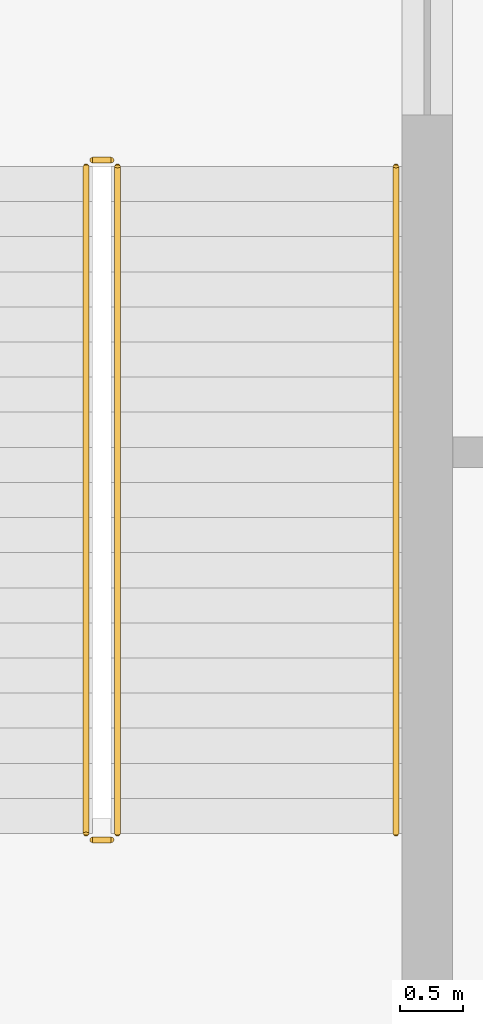
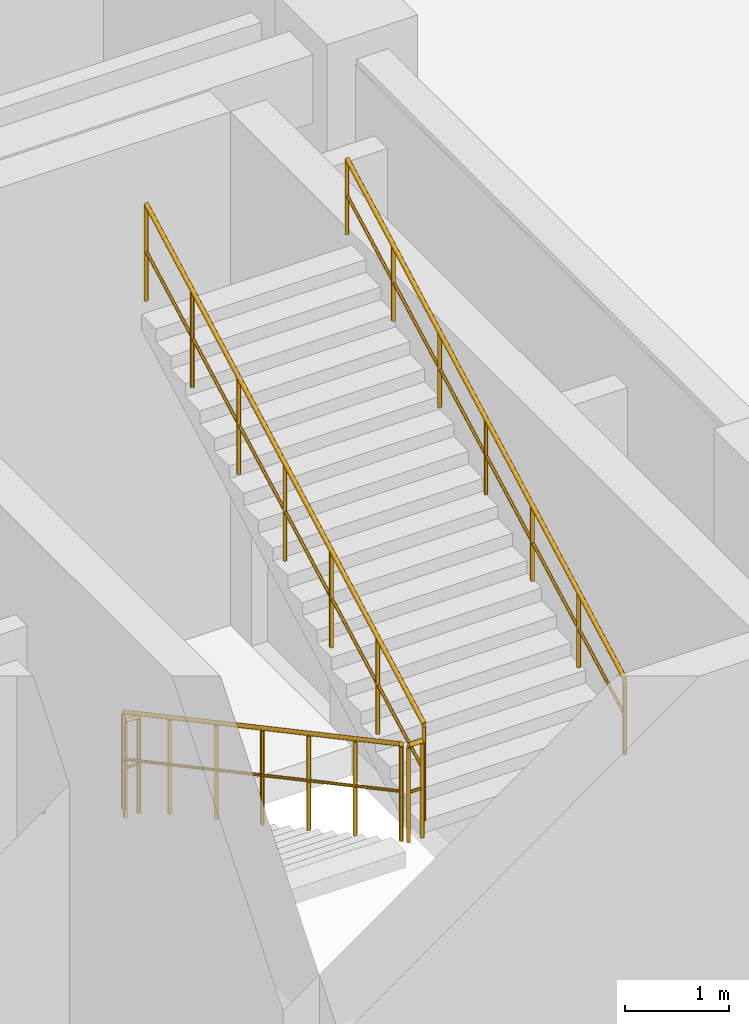
# One storey, part 75 of 82: 5 railings.
"""IFC4 building model written with IfcOpenShell, lengths in metres."""

from ifc_helpers import new_model, si_unit, derived_unit, direction, frame, origin, origin_2d, place, context, subcontext, project, spatial, circle, extrude, material, type_object, element, save


model = new_model("IFC4")

# Units and contexts
model_context = context("Model", 3, precision=1e-05, world=origin(), true_north=direction((0.0, 1.0)))
body_context = subcontext(model_context, "Body", "Model", "MODEL_VIEW")
ifc_project = project(units=[si_unit("LENGTHUNIT", "METRE"), si_unit("AREAUNIT", "SQUARE_METRE"), si_unit("VOLUMEUNIT", "CUBIC_METRE"), si_unit("PLANEANGLEUNIT", "RADIAN"), si_unit("MASSUNIT", "GRAM", prefix="KILO"), derived_unit("THERMALTRANSMITTANCEUNIT", [(si_unit("MASSUNIT", "GRAM", prefix="KILO"), 1), (si_unit("TIMEUNIT", "SECOND"), -3), (si_unit("THERMODYNAMICTEMPERATUREUNIT", "KELVIN"), -1)])], contexts=[model_context])

# Site, building, storey
site_placement = place(None, origin())
site = spatial("IfcSite", under=ifc_project, at=site_placement, CompositionType="ELEMENT")
building_placement = place(site_placement, origin())
building = spatial("IfcBuilding", under=site, at=building_placement, Name="Qinzheling Arcade Emporium", CompositionType="ELEMENT")
storey_placement = place(building_placement, origin())
storey = spatial("IfcBuildingStorey", under=building, at=storey_placement, Name="L01", CompositionType="ELEMENT", Elevation=0.0)

# Railings
ifc_material_1 = material(Name="Galvanised powder-coated tubular steel", Category="steel")
railing_type_1 = type_object("IfcRailingType", Name="Painted Steel Stairwell Guard Railing 1150", PredefinedType="GUARDRAIL", material=ifc_material_1)
railing_1_placement = place(storey_placement, frame((65.219970703125, 30.280029296875, 0.14990234375)))
element("IfcRailing", 1, at=railing_1_placement, inside=storey, type_object=railing_type_1, Name="L01 ST01 stair guard 1", PredefinedType="GUARDRAIL", context=body_context, shape_type="SweptSolid", body=[
    extrude(circle(Radius=0.02392578125, at=origin_2d()), frame((0.0, 0.0, 1.1259765625), z_axis=(0.0, -0.881475760486, 0.472229270245), x_axis=(1.0, 0.0, 0.0)), (0.0, 0.0, 1.0), 6.035400390625),
    extrude(circle(Radius=0.01611328125, at=origin_2d()), frame((0.0, 0.0, 0.574951171875), z_axis=(0.0, -0.881475760486, 0.472229270245), x_axis=(1.0, 0.0, 0.0)), (0.0, 0.0, 1.0), 6.035400390625),
    extrude(circle(Radius=0.02099609375, at=origin_2d()), origin(), (0.0, 0.0, 1.0), 1.101806640625),
    extrude(circle(Radius=0.02099609375, at=origin_2d()), frame((0.0, -0.88671875, 0.47509765625)), (0.0, 0.0, 1.0), 1.101806640625),
    extrude(circle(Radius=0.02099609375, at=origin_2d()), frame((0.0, -1.7734375, 0.949951171875)), (0.0, 0.0, 1.0), 1.101806640625),
    extrude(circle(Radius=0.02099609375, at=origin_2d()), frame((0.0, -2.66015625, 1.425048828125)), (0.0, 0.0, 1.0), 1.101806640625),
    extrude(circle(Radius=0.02099609375, at=origin_2d()), frame((0.0, -3.546630859375, 1.900146484375)), (0.0, 0.0, 1.0), 1.101806640625),
    extrude(circle(Radius=0.02099609375, at=origin_2d()), frame((0.0, -4.433349609375, 2.375)), (0.0, 0.0, 1.0), 1.101806640625),
    extrude(circle(Radius=0.02099609375, at=origin_2d()), frame((0.0, -5.320068359375, 2.85009765625)), (0.0, 0.0, 1.0), 1.101806640625),
])
railing_2_placement = place(storey_placement, frame((65.27001953125, 24.909912109375, 3.0)))
element("IfcRailing", 2, at=railing_2_placement, inside=storey, type_object=railing_type_1, Name="L01 ST01 stair guard 2", PredefinedType="GUARDRAIL", context=body_context, shape_type="SweptSolid", body=[
    extrude(circle(Radius=0.02392578125, at=origin_2d()), frame((0.0, 0.0, 1.1259765625), z_axis=(1.0, 0.0, 0.0), x_axis=(0.0, 1.0, 0.0)), (0.0, 0.0, 1.0), 0.14990234375),
    extrude(circle(Radius=0.01611328125, at=origin_2d()), frame((0.0, 0.0, 0.574951171875), z_axis=(1.0, 0.0, 0.0), x_axis=(0.0, 1.0, 0.0)), (0.0, 0.0, 1.0), 0.14990234375),
    extrude(circle(Radius=0.02099609375, at=origin_2d()), origin(), (0.0, 0.0, 1.0), 1.101806640625),
    extrude(circle(Radius=0.02099609375, at=origin_2d()), frame((0.14990234375, 0.0, 0.0)), (0.0, 0.0, 1.0), 1.101806640625),
])
railing_3_placement = place(storey_placement, frame((65.469970703125, 24.9599609375, 3.14990234375)))
element("IfcRailing", 3, at=railing_3_placement, inside=storey, type_object=railing_type_1, Name="L01 ST01 stair guard 3", PredefinedType="GUARDRAIL", context=body_context, shape_type="SweptSolid", body=[
    extrude(circle(Radius=0.02392578125, at=origin_2d()), frame((0.0, 0.0, 1.1259765625), z_axis=(0.0, 0.881475760486, 0.472229270245), x_axis=(-1.0, 0.0, 0.0)), (0.0, 0.0, 1.0), 6.035400390625),
    extrude(circle(Radius=0.01611328125, at=origin_2d()), frame((0.0, 0.0, 0.574951171875), z_axis=(0.0, 0.881475760486, 0.472229270245), x_axis=(-1.0, 0.0, 0.0)), (0.0, 0.0, 1.0), 6.035400390625),
    extrude(circle(Radius=0.02099609375, at=origin_2d()), origin(), (0.0, 0.0, 1.0), 1.101806640625),
    extrude(circle(Radius=0.02099609375, at=origin_2d()), frame((0.0, 0.88671875, 0.47509765625)), (0.0, 0.0, 1.0), 1.101806640625),
    extrude(circle(Radius=0.02099609375, at=origin_2d()), frame((0.0, 1.7734375, 0.949951171875)), (0.0, 0.0, 1.0), 1.101806640625),
    extrude(circle(Radius=0.02099609375, at=origin_2d()), frame((0.0, 2.66015625, 1.425048828125)), (0.0, 0.0, 1.0), 1.101806640625),
    extrude(circle(Radius=0.02099609375, at=origin_2d()), frame((0.0, 3.546630859375, 1.900146484375)), (0.0, 0.0, 1.0), 1.101806640625),
    extrude(circle(Radius=0.02099609375, at=origin_2d()), frame((0.0, 4.433349609375, 2.375)), (0.0, 0.0, 1.0), 1.101806640625),
    extrude(circle(Radius=0.02099609375, at=origin_2d()), frame((0.0, 5.320068359375, 2.85009765625)), (0.0, 0.0, 1.0), 1.101806640625),
])
railing_4_placement = place(storey_placement, frame((65.27001953125, 30.330078125, 0.0)))
element("IfcRailing", 4, at=railing_4_placement, inside=storey, type_object=railing_type_1, Name="L01 ST01 stair guard 4", PredefinedType="GUARDRAIL", context=body_context, shape_type="SweptSolid", body=[
    extrude(circle(Radius=0.02392578125, at=origin_2d()), frame((0.0, 0.0, 1.1259765625), z_axis=(1.0, 0.0, 0.0), x_axis=(0.0, 1.0, 0.0)), (0.0, 0.0, 1.0), 0.14990234375),
    extrude(circle(Radius=0.01611328125, at=origin_2d()), frame((0.0, 0.0, 0.574951171875), z_axis=(1.0, 0.0, 0.0), x_axis=(0.0, 1.0, 0.0)), (0.0, 0.0, 1.0), 0.14990234375),
    extrude(circle(Radius=0.02099609375, at=origin_2d()), origin(), (0.0, 0.0, 1.0), 1.101806640625),
    extrude(circle(Radius=0.02099609375, at=origin_2d()), frame((0.14990234375, 0.0, 0.0)), (0.0, 0.0, 1.0), 1.101806640625),
])
ifc_material_2 = material(Name="Brushed stainless steel 304", Category="steel")
railing_type_2 = type_object("IfcRailingType", Name="Stainless Steel Wall Handrail 900", PredefinedType="HANDRAIL", material=ifc_material_2)
railing_5_placement = place(storey_placement, frame((67.68994140625, 24.9599609375, 3.14990234375)))
element("IfcRailing", 5, at=railing_5_placement, inside=storey, type_object=railing_type_2, Name="L01 ST01 stair handrail 2", PredefinedType="HANDRAIL", context=body_context, shape_type="SweptSolid", body=[
    extrude(circle(Radius=0.02392578125, at=origin_2d()), frame((0.0, 0.0, 0.8759765625), z_axis=(0.0, 0.881475760486, 0.472229270245), x_axis=(-1.0, 0.0, 0.0)), (0.0, 0.0, 1.0), 6.035400390625),
    extrude(circle(Radius=0.01611328125, at=origin_2d()), frame((0.0, 0.0, 0.449951171875), z_axis=(0.0, 0.881475760486, 0.472229270245), x_axis=(-1.0, 0.0, 0.0)), (0.0, 0.0, 1.0), 6.035400390625),
    extrude(circle(Radius=0.02099609375, at=origin_2d()), origin(), (0.0, 0.0, 1.0), 0.851806640625),
    extrude(circle(Radius=0.02099609375, at=origin_2d()), frame((0.0, 0.88671875, 0.47509765625)), (0.0, 0.0, 1.0), 0.851806640625),
    extrude(circle(Radius=0.02099609375, at=origin_2d()), frame((0.0, 1.7734375, 0.949951171875)), (0.0, 0.0, 1.0), 0.851806640625),
    extrude(circle(Radius=0.02099609375, at=origin_2d()), frame((0.0, 2.66015625, 1.425048828125)), (0.0, 0.0, 1.0), 0.851806640625),
    extrude(circle(Radius=0.02099609375, at=origin_2d()), frame((0.0, 3.546630859375, 1.900146484375)), (0.0, 0.0, 1.0), 0.851806640625),
    extrude(circle(Radius=0.02099609375, at=origin_2d()), frame((0.0, 4.433349609375, 2.375)), (0.0, 0.0, 1.0), 0.851806640625),
    extrude(circle(Radius=0.02099609375, at=origin_2d()), frame((0.0, 5.320068359375, 2.85009765625)), (0.0, 0.0, 1.0), 0.851806640625),
])

save(model, "model.ifc")
